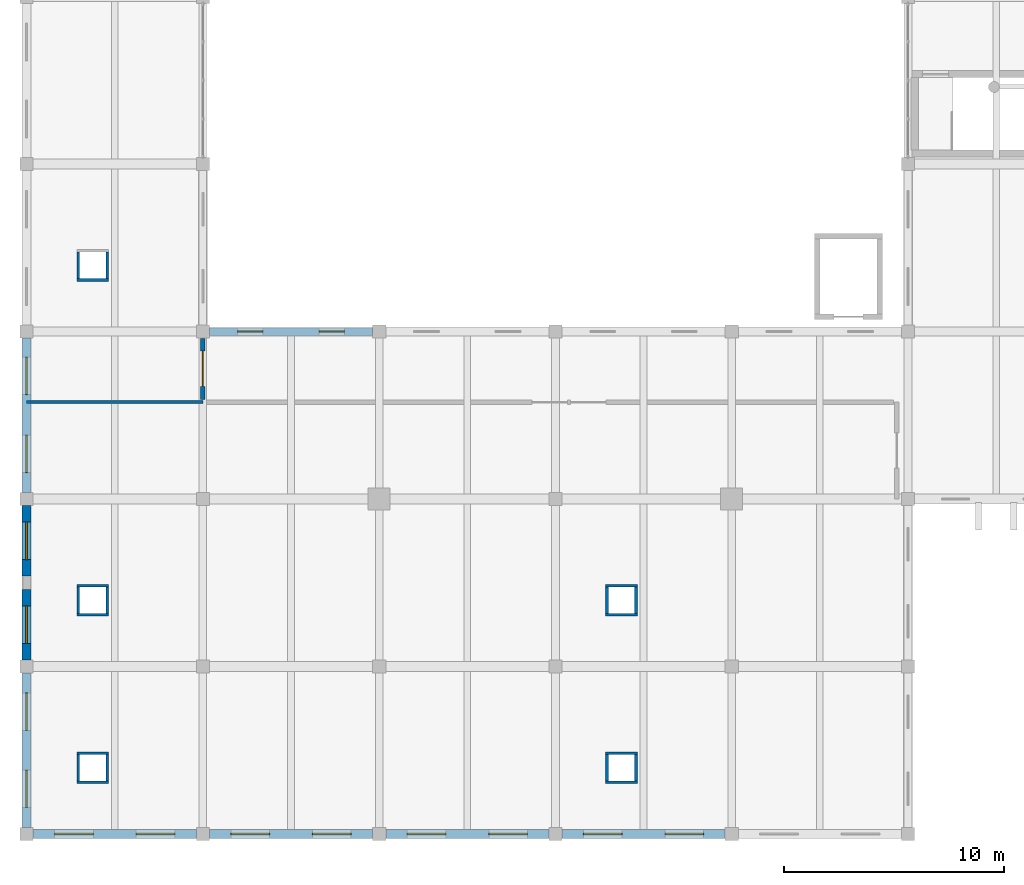
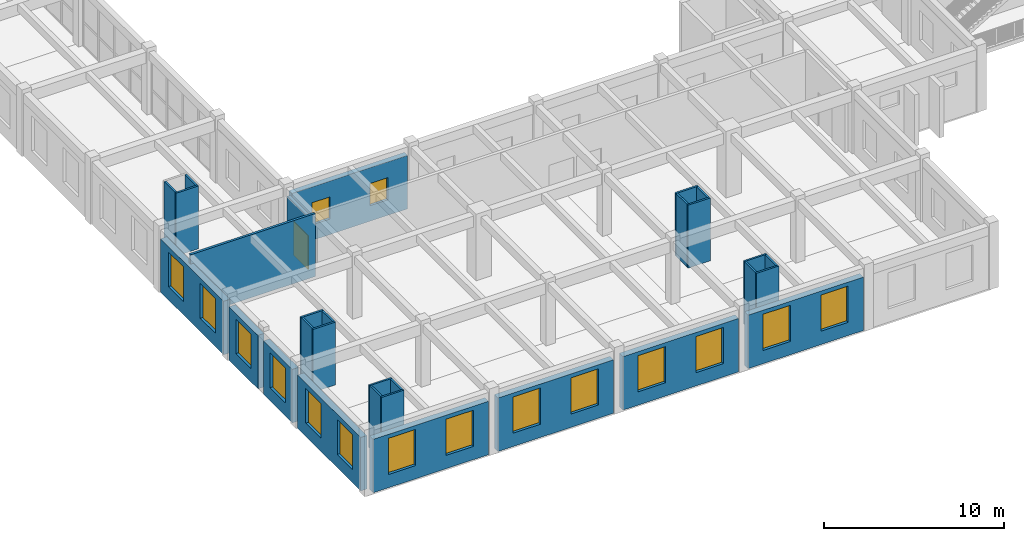
# One storey, part 51 of 79: 30 walls, 16 windows, 1 door, 17 openings.
"""IFC4 building model written with IfcOpenShell, lengths in metres."""

from ifc_helpers import new_model, si_unit, direction, frame, frame_2d, origin, place, context, subcontext, project, spatial, rectangle, extrude, material, layer, layer_set, type_object, element, fill, save


model = new_model("IFC4")

# Units and contexts
model_context = context("Model", 3, precision=1e-05, world=origin(), true_north=direction((0.0, 1.0)))
body_context = subcontext(model_context, "Body", "Model", "MODEL_VIEW")
ifc_project = project(units=[si_unit("LENGTHUNIT", "METRE"), si_unit("AREAUNIT", "SQUARE_METRE"), si_unit("VOLUMEUNIT", "CUBIC_METRE"), si_unit("PLANEANGLEUNIT", "RADIAN"), si_unit("MASSUNIT", "GRAM", prefix="KILO")], contexts=[model_context])

# Site, building, storey
site_placement = place(None, origin())
site = spatial("IfcSite", under=ifc_project, at=site_placement, CompositionType="ELEMENT")
building_placement = place(site_placement, origin())
building = spatial("IfcBuilding", under=site, at=building_placement, Name="Zantavel Square City Hall", CompositionType="ELEMENT")
storey_placement = place(building_placement, frame((0.0, 0.0, 10.199951171875)))
storey = spatial("IfcBuildingStorey", under=building, at=storey_placement, Name="L03", CompositionType="ELEMENT", Elevation=10.199951171875)

# Wall, openings, windows
ifc_material_1 = material(Name="Cantera volcanic tuff stone", Category="masonry")
ifc_layer_1 = layer(ifc_material_1, 0.39990234375, Name="Cantera volcanic tuff stone")
ifc_layer_set_1 = layer_set([ifc_layer_1], Name="Cantera volcanic tuff stone")
wall_type_1 = type_object("IfcWallType", Name="Civic Pavilion Cantera Ashlar Wall 400mm", PredefinedType="STANDARD", material=ifc_layer_set_1)
wall_1_placement = place(storey_placement, frame((39.699951171875, 7.60009765625, 0.0), z_axis=(0.0, 0.0, 1.0), x_axis=(-1.0, 0.0, 0.0)))
wall_1 = element("IfcWall", 1, at=wall_1_placement, inside=storey, type_object=wall_type_1, Name="L03 Exterior Wall EW-L03-047", PredefinedType="STANDARD", context=body_context, shape_type="SweptSolid", body=[
    extrude(rectangle(XDim=7.39990234375, YDim=0.39990234375, at=frame_2d((3.699951171875, 0.0))), origin(), (0.0, 0.0, 1.0), 3.6201171875),
])
opening_1_placement = place(wall_1_placement, frame((0.97509765625, 0.0, 0.89990234375)))
opening_1 = element("IfcOpeningElement", 2, at=opening_1_placement, cuts=wall_1, Name="Opening W-334", PredefinedType="OPENING", context=body_context, shape_type="SweptSolid", body=[
    extrude(rectangle(XDim=1.75, YDim=2.449951171875, at=frame_2d((0.875, 1.22509765625))), frame((0.0, 0.2099609375, 0.0), z_axis=(0.0, -1.0, 0.0), x_axis=(1.0, 0.0, 0.0)), (0.0, 0.0, 1.0), 0.419921875),
])
opening_2_placement = place(wall_1_placement, frame((4.675048828125, 0.0, 0.89990234375)))
opening_2 = element("IfcOpeningElement", 3, at=opening_2_placement, cuts=wall_1, Name="Opening W-335", PredefinedType="OPENING", context=body_context, shape_type="SweptSolid", body=[
    extrude(rectangle(XDim=1.75, YDim=2.449951171875, at=frame_2d((0.875, 1.22509765625))), frame((0.0, 0.2099609375, 0.0), z_axis=(0.0, -1.0, 0.0), x_axis=(1.0, 0.0, 0.0)), (0.0, 0.0, 1.0), 0.419921875),
])
ifc_material_2 = material(Name="Tempered safety glass low-E double glazing", Category="glass")
window_type_1 = type_object("IfcWindowType", Name="Window Piano Nobile Pediment 1750x2450", PartitioningType="DOUBLE_PANEL_VERTICAL", PredefinedType="WINDOW", material=ifc_material_2)
window_1_placement = place(opening_1_placement, origin())
window_1 = element("IfcWindow", 4, at=window_1_placement, inside=storey, type_object=window_type_1, Name="L03 Window W-334", OverallHeight=2.449951171875, OverallWidth=1.75, PartitioningType="DOUBLE_PANEL_VERTICAL", PredefinedType="WINDOW", context=body_context, shape_type="SweptSolid", body=[
    extrude(rectangle(XDim=1.75, YDim=2.449951171875, at=frame_2d((0.875, 1.22509765625))), frame((0.0, 0.030029296875, 0.0), z_axis=(0.0, -1.0, 0.0), x_axis=(1.0, 0.0, 0.0)), (0.0, 0.0, 1.0), 0.06005859375),
])
fill(opening_1, window_1)
window_2_placement = place(opening_2_placement, origin())
window_2 = element("IfcWindow", 5, at=window_2_placement, inside=storey, type_object=window_type_1, Name="L03 Window W-335", OverallHeight=2.449951171875, OverallWidth=1.75, PartitioningType="DOUBLE_PANEL_VERTICAL", PredefinedType="WINDOW", context=body_context, shape_type="SweptSolid", body=[
    extrude(rectangle(XDim=1.75, YDim=2.449951171875, at=frame_2d((0.875, 1.22509765625))), frame((0.0, 0.030029296875, 0.0), z_axis=(0.0, -1.0, 0.0), x_axis=(1.0, 0.0, 0.0)), (0.0, 0.0, 1.0), 0.06005859375),
])
fill(opening_2, window_2)

wall_2_placement = place(storey_placement, frame((31.699951171875, 7.60009765625, 0.0), z_axis=(0.0, 0.0, 1.0), x_axis=(-1.0, 0.0, 0.0)))
wall_2 = element("IfcWall", 6, at=wall_2_placement, inside=storey, type_object=wall_type_1, Name="L03 Exterior Wall EW-L03-048", PredefinedType="STANDARD", context=body_context, shape_type="SweptSolid", body=[
    extrude(rectangle(XDim=7.39990234375, YDim=0.39990234375, at=frame_2d((3.699951171875, 0.0))), origin(), (0.0, 0.0, 1.0), 3.6201171875),
])
opening_3_placement = place(wall_2_placement, frame((0.97509765625, 0.0, 0.89990234375)))
opening_3 = element("IfcOpeningElement", 7, at=opening_3_placement, cuts=wall_2, Name="Opening W-336", PredefinedType="OPENING", context=body_context, shape_type="SweptSolid", body=[
    extrude(rectangle(XDim=1.75, YDim=2.449951171875, at=frame_2d((0.875, 1.22509765625))), frame((0.0, 0.2099609375, 0.0), z_axis=(0.0, -1.0, 0.0), x_axis=(1.0, 0.0, 0.0)), (0.0, 0.0, 1.0), 0.419921875),
])
opening_4_placement = place(wall_2_placement, frame((4.675048828125, 0.0, 0.89990234375)))
opening_4 = element("IfcOpeningElement", 8, at=opening_4_placement, cuts=wall_2, Name="Opening W-337", PredefinedType="OPENING", context=body_context, shape_type="SweptSolid", body=[
    extrude(rectangle(XDim=1.75, YDim=2.449951171875, at=frame_2d((0.875, 1.22509765625))), frame((0.0, 0.2099609375, 0.0), z_axis=(0.0, -1.0, 0.0), x_axis=(1.0, 0.0, 0.0)), (0.0, 0.0, 1.0), 0.419921875),
])
window_3_placement = place(opening_3_placement, origin())
window_3 = element("IfcWindow", 9, at=window_3_placement, inside=storey, type_object=window_type_1, Name="L03 Window W-336", OverallHeight=2.449951171875, OverallWidth=1.75, PartitioningType="DOUBLE_PANEL_VERTICAL", PredefinedType="WINDOW", context=body_context, shape_type="SweptSolid", body=[
    extrude(rectangle(XDim=1.75, YDim=2.449951171875, at=frame_2d((0.875, 1.22509765625))), frame((0.0, 0.030029296875, 0.0), z_axis=(0.0, -1.0, 0.0), x_axis=(1.0, 0.0, 0.0)), (0.0, 0.0, 1.0), 0.06005859375),
])
fill(opening_3, window_3)
window_4_placement = place(opening_4_placement, origin())
window_4 = element("IfcWindow", 10, at=window_4_placement, inside=storey, type_object=window_type_1, Name="L03 Window W-337", OverallHeight=2.449951171875, OverallWidth=1.75, PartitioningType="DOUBLE_PANEL_VERTICAL", PredefinedType="WINDOW", context=body_context, shape_type="SweptSolid", body=[
    extrude(rectangle(XDim=1.75, YDim=2.449951171875, at=frame_2d((0.875, 1.22509765625))), frame((0.0, 0.030029296875, 0.0), z_axis=(0.0, -1.0, 0.0), x_axis=(1.0, 0.0, 0.0)), (0.0, 0.0, 1.0), 0.06005859375),
])
fill(opening_4, window_4)

wall_3_placement = place(storey_placement, frame((23.699951171875, 7.60009765625, 0.0), z_axis=(0.0, 0.0, 1.0), x_axis=(-1.0, 0.0, 0.0)))
wall_3 = element("IfcWall", 11, at=wall_3_placement, inside=storey, type_object=wall_type_1, Name="L03 Exterior Wall EW-L03-049", PredefinedType="STANDARD", context=body_context, shape_type="SweptSolid", body=[
    extrude(rectangle(XDim=7.39990234375, YDim=0.39990234375, at=frame_2d((3.699951171875, 0.0))), origin(), (0.0, 0.0, 1.0), 3.6201171875),
])
opening_5_placement = place(wall_3_placement, frame((0.97509765625, 0.0, 0.89990234375)))
opening_5 = element("IfcOpeningElement", 12, at=opening_5_placement, cuts=wall_3, Name="Opening W-338", PredefinedType="OPENING", context=body_context, shape_type="SweptSolid", body=[
    extrude(rectangle(XDim=1.75, YDim=2.449951171875, at=frame_2d((0.875, 1.22509765625))), frame((0.0, 0.2099609375, 0.0), z_axis=(0.0, -1.0, 0.0), x_axis=(1.0, 0.0, 0.0)), (0.0, 0.0, 1.0), 0.419921875),
])
opening_6_placement = place(wall_3_placement, frame((4.675048828125, 0.0, 0.89990234375)))
opening_6 = element("IfcOpeningElement", 13, at=opening_6_placement, cuts=wall_3, Name="Opening W-339", PredefinedType="OPENING", context=body_context, shape_type="SweptSolid", body=[
    extrude(rectangle(XDim=1.75, YDim=2.449951171875, at=frame_2d((0.875, 1.22509765625))), frame((0.0, 0.2099609375, 0.0), z_axis=(0.0, -1.0, 0.0), x_axis=(1.0, 0.0, 0.0)), (0.0, 0.0, 1.0), 0.419921875),
])
window_5_placement = place(opening_5_placement, origin())
window_5 = element("IfcWindow", 14, at=window_5_placement, inside=storey, type_object=window_type_1, Name="L03 Window W-338", OverallHeight=2.449951171875, OverallWidth=1.75, PartitioningType="DOUBLE_PANEL_VERTICAL", PredefinedType="WINDOW", context=body_context, shape_type="SweptSolid", body=[
    extrude(rectangle(XDim=1.75, YDim=2.449951171875, at=frame_2d((0.875, 1.22509765625))), frame((0.0, 0.030029296875, 0.0), z_axis=(0.0, -1.0, 0.0), x_axis=(1.0, 0.0, 0.0)), (0.0, 0.0, 1.0), 0.06005859375),
])
fill(opening_5, window_5)
window_6_placement = place(opening_6_placement, origin())
window_6 = element("IfcWindow", 15, at=window_6_placement, inside=storey, type_object=window_type_1, Name="L03 Window W-339", OverallHeight=2.449951171875, OverallWidth=1.75, PartitioningType="DOUBLE_PANEL_VERTICAL", PredefinedType="WINDOW", context=body_context, shape_type="SweptSolid", body=[
    extrude(rectangle(XDim=1.75, YDim=2.449951171875, at=frame_2d((0.875, 1.22509765625))), frame((0.0, 0.030029296875, 0.0), z_axis=(0.0, -1.0, 0.0), x_axis=(1.0, 0.0, 0.0)), (0.0, 0.0, 1.0), 0.06005859375),
])
fill(opening_6, window_6)

wall_4_placement = place(storey_placement, frame((15.699951171875, 7.60009765625, 0.0), z_axis=(0.0, 0.0, 1.0), x_axis=(-1.0, 0.0, 0.0)))
wall_4 = element("IfcWall", 16, at=wall_4_placement, inside=storey, type_object=wall_type_1, Name="L03 Exterior Wall EW-L03-050", PredefinedType="STANDARD", context=body_context, shape_type="SweptSolid", body=[
    extrude(rectangle(XDim=7.39990234375, YDim=0.39990234375, at=frame_2d((3.699951171875, 0.0))), origin(), (0.0, 0.0, 1.0), 3.6201171875),
])
opening_7_placement = place(wall_4_placement, frame((0.97509765625, 0.0, 0.89990234375)))
opening_7 = element("IfcOpeningElement", 17, at=opening_7_placement, cuts=wall_4, Name="Opening W-340", PredefinedType="OPENING", context=body_context, shape_type="SweptSolid", body=[
    extrude(rectangle(XDim=1.75, YDim=2.449951171875, at=frame_2d((0.875, 1.22509765625))), frame((0.0, 0.2099609375, 0.0), z_axis=(0.0, -1.0, 0.0), x_axis=(1.0, 0.0, 0.0)), (0.0, 0.0, 1.0), 0.419921875),
])
opening_8_placement = place(wall_4_placement, frame((4.675048828125, 0.0, 0.89990234375)))
opening_8 = element("IfcOpeningElement", 18, at=opening_8_placement, cuts=wall_4, Name="Opening W-341", PredefinedType="OPENING", context=body_context, shape_type="SweptSolid", body=[
    extrude(rectangle(XDim=1.75, YDim=2.449951171875, at=frame_2d((0.875, 1.22509765625))), frame((0.0, 0.2099609375, 0.0), z_axis=(0.0, -1.0, 0.0), x_axis=(1.0, 0.0, 0.0)), (0.0, 0.0, 1.0), 0.419921875),
])
window_7_placement = place(opening_7_placement, origin())
window_7 = element("IfcWindow", 19, at=window_7_placement, inside=storey, type_object=window_type_1, Name="L03 Window W-340", OverallHeight=2.449951171875, OverallWidth=1.75, PartitioningType="DOUBLE_PANEL_VERTICAL", PredefinedType="WINDOW", context=body_context, shape_type="SweptSolid", body=[
    extrude(rectangle(XDim=1.75, YDim=2.449951171875, at=frame_2d((0.875, 1.22509765625))), frame((0.0, 0.030029296875, 0.0), z_axis=(0.0, -1.0, 0.0), x_axis=(1.0, 0.0, 0.0)), (0.0, 0.0, 1.0), 0.06005859375),
])
fill(opening_7, window_7)
window_8_placement = place(opening_8_placement, origin())
window_8 = element("IfcWindow", 20, at=window_8_placement, inside=storey, type_object=window_type_1, Name="L03 Window W-341", OverallHeight=2.449951171875, OverallWidth=1.75, PartitioningType="DOUBLE_PANEL_VERTICAL", PredefinedType="WINDOW", context=body_context, shape_type="SweptSolid", body=[
    extrude(rectangle(XDim=1.75, YDim=2.449951171875, at=frame_2d((0.875, 1.22509765625))), frame((0.0, 0.030029296875, 0.0), z_axis=(0.0, -1.0, 0.0), x_axis=(1.0, 0.0, 0.0)), (0.0, 0.0, 1.0), 0.06005859375),
])
fill(opening_8, window_8)

wall_5_placement = place(storey_placement, frame((8.0, 7.89990234375, 0.0), z_axis=(0.0, 0.0, 1.0), x_axis=(0.0, 1.0, 0.0)))
wall_5 = element("IfcWall", 21, at=wall_5_placement, inside=storey, type_object=wall_type_1, Name="L03 Exterior Wall EW-L03-051", PredefinedType="STANDARD", context=body_context, shape_type="SweptSolid", body=[
    extrude(rectangle(XDim=7.0, YDim=0.39990234375, at=frame_2d((3.5, 0.0))), origin(), (0.0, 0.0, 1.0), 3.6201171875),
])
opening_9_placement = place(wall_5_placement, frame((0.89990234375, 0.0, 0.89990234375)))
opening_9 = element("IfcOpeningElement", 22, at=opening_9_placement, cuts=wall_5, Name="Opening W-342", PredefinedType="OPENING", context=body_context, shape_type="SweptSolid", body=[
    extrude(rectangle(XDim=1.699951171875, YDim=2.35009765625, at=frame_2d((0.85009765625, 1.175048828125))), frame((0.0, 0.2099609375, 0.0), z_axis=(0.0, -1.0, 0.0), x_axis=(1.0, 0.0, 0.0)), (0.0, 0.0, 1.0), 0.419921875),
])
opening_10_placement = place(wall_5_placement, frame((4.39990234375, 0.0, 0.89990234375)))
opening_10 = element("IfcOpeningElement", 23, at=opening_10_placement, cuts=wall_5, Name="Opening W-343", PredefinedType="OPENING", context=body_context, shape_type="SweptSolid", body=[
    extrude(rectangle(XDim=1.699951171875, YDim=2.35009765625, at=frame_2d((0.85009765625, 1.175048828125))), frame((0.0, 0.2099609375, 0.0), z_axis=(0.0, -1.0, 0.0), x_axis=(1.0, 0.0, 0.0)), (0.0, 0.0, 1.0), 0.419921875),
])
window_type_2 = type_object("IfcWindowType", Name="Window Library Reading Tall 1700x2350", PartitioningType="DOUBLE_PANEL_VERTICAL", PredefinedType="WINDOW", material=ifc_material_2)
window_9_placement = place(opening_9_placement, origin())
window_9 = element("IfcWindow", 24, at=window_9_placement, inside=storey, type_object=window_type_2, Name="L03 Window W-342", OverallHeight=2.35009765625, OverallWidth=1.699951171875, PartitioningType="DOUBLE_PANEL_VERTICAL", PredefinedType="WINDOW", context=body_context, shape_type="SweptSolid", body=[
    extrude(rectangle(XDim=1.699951171875, YDim=2.35009765625, at=frame_2d((0.85009765625, 1.175048828125))), frame((0.0, 0.030029296875, 0.0), z_axis=(0.0, -1.0, 0.0), x_axis=(1.0, 0.0, 0.0)), (0.0, 0.0, 1.0), 0.06005859375),
])
fill(opening_9, window_9)
window_10_placement = place(opening_10_placement, origin())
window_10 = element("IfcWindow", 25, at=window_10_placement, inside=storey, type_object=window_type_2, Name="L03 Window W-343", OverallHeight=2.35009765625, OverallWidth=1.699951171875, PartitioningType="DOUBLE_PANEL_VERTICAL", PredefinedType="WINDOW", context=body_context, shape_type="SweptSolid", body=[
    extrude(rectangle(XDim=1.699951171875, YDim=2.35009765625, at=frame_2d((0.85009765625, 1.175048828125))), frame((0.0, 0.030029296875, 0.0), z_axis=(0.0, -1.0, 0.0), x_axis=(1.0, 0.0, 0.0)), (0.0, 0.0, 1.0), 0.06005859375),
])
fill(opening_10, window_10)

# Wall, opening, window
wall_6_placement = place(storey_placement, frame((8.0, 15.5, 0.0), z_axis=(0.0, 0.0, 1.0), x_axis=(0.0, 1.0, 0.0)))
wall_6 = element("IfcWall", 26, at=wall_6_placement, inside=storey, type_object=wall_type_1, Name="L03 Exterior Wall EW-L03-052", PredefinedType="STANDARD", context=body_context, shape_type="SweptSolid", body=[
    extrude(rectangle(XDim=3.199951171875, YDim=0.39990234375, at=frame_2d((1.60009765625, 0.0))), origin(), (0.0, 0.0, 1.0), 3.6201171875),
])
opening_11_placement = place(wall_6_placement, frame((0.75, 0.0, 0.89990234375)))
opening_11 = element("IfcOpeningElement", 27, at=opening_11_placement, cuts=wall_6, Name="Opening W-344", PredefinedType="OPENING", context=body_context, shape_type="SweptSolid", body=[
    extrude(rectangle(XDim=1.699951171875, YDim=2.35009765625, at=frame_2d((0.85009765625, 1.175048828125))), frame((0.0, 0.2099609375, 0.0), z_axis=(0.0, -1.0, 0.0), x_axis=(1.0, 0.0, 0.0)), (0.0, 0.0, 1.0), 0.419921875),
])
window_11_placement = place(opening_11_placement, origin())
window_11 = element("IfcWindow", 28, at=window_11_placement, inside=storey, type_object=window_type_2, Name="L03 Window W-344", OverallHeight=2.35009765625, OverallWidth=1.699951171875, PartitioningType="DOUBLE_PANEL_VERTICAL", PredefinedType="WINDOW", context=body_context, shape_type="SweptSolid", body=[
    extrude(rectangle(XDim=1.699951171875, YDim=2.35009765625, at=frame_2d((0.85009765625, 1.175048828125))), frame((0.0, 0.030029296875, 0.0), z_axis=(0.0, -1.0, 0.0), x_axis=(1.0, 0.0, 0.0)), (0.0, 0.0, 1.0), 0.06005859375),
])
fill(opening_11, window_11)

wall_7_placement = place(storey_placement, frame((8.0, 19.300048828125, 0.0), z_axis=(0.0, 0.0, 1.0), x_axis=(0.0, 1.0, 0.0)))
wall_7 = element("IfcWall", 29, at=wall_7_placement, inside=storey, type_object=wall_type_1, Name="L03 Exterior Wall EW-L03-053", PredefinedType="STANDARD", context=body_context, shape_type="SweptSolid", body=[
    extrude(rectangle(XDim=3.199951171875, YDim=0.39990234375, at=frame_2d((1.60009765625, 0.0))), origin(), (0.0, 0.0, 1.0), 3.6201171875),
])
opening_12_placement = place(wall_7_placement, frame((0.75, 0.0, 0.89990234375)))
opening_12 = element("IfcOpeningElement", 30, at=opening_12_placement, cuts=wall_7, Name="Opening W-345", PredefinedType="OPENING", context=body_context, shape_type="SweptSolid", body=[
    extrude(rectangle(XDim=1.699951171875, YDim=2.35009765625, at=frame_2d((0.85009765625, 1.175048828125))), frame((0.0, 0.2099609375, 0.0), z_axis=(0.0, -1.0, 0.0), x_axis=(1.0, 0.0, 0.0)), (0.0, 0.0, 1.0), 0.419921875),
])
window_12_placement = place(opening_12_placement, origin())
window_12 = element("IfcWindow", 31, at=window_12_placement, inside=storey, type_object=window_type_2, Name="L03 Window W-345", OverallHeight=2.35009765625, OverallWidth=1.699951171875, PartitioningType="DOUBLE_PANEL_VERTICAL", PredefinedType="WINDOW", context=body_context, shape_type="SweptSolid", body=[
    extrude(rectangle(XDim=1.699951171875, YDim=2.35009765625, at=frame_2d((0.85009765625, 1.175048828125))), frame((0.0, 0.030029296875, 0.0), z_axis=(0.0, -1.0, 0.0), x_axis=(1.0, 0.0, 0.0)), (0.0, 0.0, 1.0), 0.06005859375),
])
fill(opening_12, window_12)

# Wall, openings, windows
wall_8_placement = place(storey_placement, frame((8.0, 23.10009765625, 0.0), z_axis=(0.0, 0.0, 1.0), x_axis=(0.0, 1.0, 0.0)))
wall_8 = element("IfcWall", 32, at=wall_8_placement, inside=storey, type_object=wall_type_1, Name="L03 Exterior Wall EW-L03-054", PredefinedType="STANDARD", context=body_context, shape_type="SweptSolid", body=[
    extrude(rectangle(XDim=7.0, YDim=0.39990234375, at=frame_2d((3.5, 0.0))), origin(), (0.0, 0.0, 1.0), 3.6201171875),
])
opening_13_placement = place(wall_8_placement, frame((0.89990234375, 0.0, 0.89990234375)))
opening_13 = element("IfcOpeningElement", 33, at=opening_13_placement, cuts=wall_8, Name="Opening W-346", PredefinedType="OPENING", context=body_context, shape_type="SweptSolid", body=[
    extrude(rectangle(XDim=1.699951171875, YDim=2.35009765625, at=frame_2d((0.85009765625, 1.175048828125))), frame((0.0, 0.2099609375, 0.0), z_axis=(0.0, -1.0, 0.0), x_axis=(1.0, 0.0, 0.0)), (0.0, 0.0, 1.0), 0.419921875),
])
opening_14_placement = place(wall_8_placement, frame((4.43994140625, 0.0, 0.89990234375)))
opening_14 = element("IfcOpeningElement", 34, at=opening_14_placement, cuts=wall_8, Name="Opening W-347", PredefinedType="OPENING", context=body_context, shape_type="SweptSolid", body=[
    extrude(rectangle(XDim=1.699951171875, YDim=2.35009765625, at=frame_2d((0.85009765625, 1.175048828125))), frame((0.0, 0.2099609375, 0.0), z_axis=(0.0, -1.0, 0.0), x_axis=(1.0, 0.0, 0.0)), (0.0, 0.0, 1.0), 0.419921875),
])
window_13_placement = place(opening_13_placement, origin())
window_13 = element("IfcWindow", 35, at=window_13_placement, inside=storey, type_object=window_type_2, Name="L03 Window W-346", OverallHeight=2.35009765625, OverallWidth=1.699951171875, PartitioningType="DOUBLE_PANEL_VERTICAL", PredefinedType="WINDOW", context=body_context, shape_type="SweptSolid", body=[
    extrude(rectangle(XDim=1.699951171875, YDim=2.35009765625, at=frame_2d((0.85009765625, 1.175048828125))), frame((0.0, 0.030029296875, 0.0), z_axis=(0.0, -1.0, 0.0), x_axis=(1.0, 0.0, 0.0)), (0.0, 0.0, 1.0), 0.06005859375),
])
fill(opening_13, window_13)
window_14_placement = place(opening_14_placement, origin())
window_14 = element("IfcWindow", 36, at=window_14_placement, inside=storey, type_object=window_type_2, Name="L03 Window W-347", OverallHeight=2.35009765625, OverallWidth=1.699951171875, PartitioningType="DOUBLE_PANEL_VERTICAL", PredefinedType="WINDOW", context=body_context, shape_type="SweptSolid", body=[
    extrude(rectangle(XDim=1.699951171875, YDim=2.35009765625, at=frame_2d((0.85009765625, 1.175048828125))), frame((0.0, 0.030029296875, 0.0), z_axis=(0.0, -1.0, 0.0), x_axis=(1.0, 0.0, 0.0)), (0.0, 0.0, 1.0), 0.06005859375),
])
fill(opening_14, window_14)

# Wall
ifc_material_3 = material(Name="Gypsum acoustic stud assembly", Category="masonry")
ifc_layer_2 = layer(ifc_material_3, 0.14990234375, Name="Gypsum acoustic stud assembly")
ifc_layer_set_2 = layer_set([ifc_layer_2], Name="Gypsum acoustic stud assembly")
wall_type_2 = type_object("IfcWallType", Name="Department Office Partition 150mm", PredefinedType="PARTITIONING", material=ifc_layer_set_2)
wall_9_placement = place(storey_placement, frame((8.0, 27.199951171875, 0.0), z_axis=(0.0, 0.0, 1.0), x_axis=(1.0, 0.0, 0.0)))
element("IfcWall", 37, at=wall_9_placement, inside=storey, type_object=wall_type_2, Name="L03 Interior Wall IW-L03-0265", PredefinedType="PARTITIONING", context=body_context, shape_type="SweptSolid", body=[
    extrude(rectangle(XDim=8.0, YDim=0.14990234375, at=frame_2d((4.0, 0.0))), origin(), (0.0, 0.0, 1.0), 4.260009765625),
])

# Wall, opening, door
ifc_layer_3 = layer(ifc_material_1, 0.199951171875, Name="Cantera volcanic tuff stone")
ifc_layer_set_3 = layer_set([ifc_layer_3], Name="Cantera volcanic tuff stone")
wall_type_3 = type_object("IfcWallType", Name="Exit Corridor Rated Wall 200mm", PredefinedType="STANDARD", material=ifc_layer_set_3)
wall_10_placement = place(storey_placement, frame((16.0, 30.090087890625, 0.0), z_axis=(0.0, 0.0, 1.0), x_axis=(0.0, -1.0, 0.0)))
wall_10 = element("IfcWall", 38, at=wall_10_placement, inside=storey, type_object=wall_type_3, Name="L03 Interior Wall IW-L03-0268", PredefinedType="STANDARD", context=body_context, shape_type="SweptSolid", body=[
    extrude(rectangle(XDim=2.76513671875, YDim=0.199951171875, at=frame_2d((1.382568359375, 0.0))), origin(), (0.0, 0.0, 1.0), 3.670166015625),
])
opening_15_placement = place(wall_10_placement, frame((0.58251953125, 0.0, 0.0)))
opening_15 = element("IfcOpeningElement", 39, at=opening_15_placement, cuts=wall_10, Name="Opening D-0123", PredefinedType="OPENING", context=body_context, shape_type="SweptSolid", body=[
    extrude(rectangle(XDim=1.60009765625, YDim=2.300048828125, at=frame_2d((0.800048828125, 1.14990234375))), frame((0.0, 0.10986328125, 0.0), z_axis=(0.0, -1.0, 0.0), x_axis=(1.0, 0.0, 0.0)), (0.0, 0.0, 1.0), 0.219970703125),
])
ifc_material_4 = material(Name="Solid oak hardwood", Category="wood")
door_type = type_object("IfcDoorType", Name="Committee Suite Fire Double Door 1600x2300 FD60S", OperationType="NOTDEFINED", PredefinedType="DOOR", material=ifc_material_4)
door_placement = place(opening_15_placement, origin())
door = element("IfcDoor", 40, at=door_placement, inside=storey, type_object=door_type, Name="L03 Legislative Research Carrels Door", OperationType="DOUBLE_DOOR_SINGLE_SWING", OverallHeight=2.300048828125, OverallWidth=1.60009765625, PredefinedType="DOOR", context=body_context, shape_type="SweptSolid", body=[
    extrude(rectangle(XDim=1.60009765625, YDim=2.300048828125, at=frame_2d((0.800048828125, 1.14990234375))), frame((0.0, 0.02490234375, 0.0), z_axis=(0.0, -1.0, 0.0), x_axis=(1.0, 0.0, 0.0)), (0.0, 0.0, 1.0), 0.050048828125),
])
fill(opening_15, door)

# Wall, openings, windows
ifc_layer_4 = layer(ifc_material_1, 0.340087890625, Name="Cantera volcanic tuff stone")
ifc_layer_set_4 = layer_set([ifc_layer_4], Name="Cantera volcanic tuff stone")
wall_type_4 = type_object("IfcWallType", Name="North Insulated Cantera Wall 340mm", PredefinedType="STANDARD", material=ifc_layer_set_4)
wall_11_placement = place(storey_placement, frame((16.300048828125, 30.39990234375, 0.0), z_axis=(0.0, 0.0, 1.0), x_axis=(1.0, 0.0, 0.0)))
wall_11 = element("IfcWall", 41, at=wall_11_placement, inside=storey, type_object=wall_type_4, Name="L03 Exterior Wall EW-L03-065", PredefinedType="STANDARD", context=body_context, shape_type="SweptSolid", body=[
    extrude(rectangle(XDim=7.39990234375, YDim=0.340087890625, at=frame_2d((3.699951171875, 0.0))), origin(), (0.0, 0.0, 1.0), 3.6201171875),
])
opening_16_placement = place(wall_11_placement, frame((1.27490234375, 0.0, 1.050048828125)))
opening_16 = element("IfcOpeningElement", 42, at=opening_16_placement, cuts=wall_11, Name="Opening W-362", PredefinedType="OPENING", context=body_context, shape_type="SweptSolid", body=[
    extrude(rectangle(XDim=1.14990234375, YDim=1.5, at=frame_2d((0.574951171875, 0.75))), frame((0.0, 0.179931640625, 0.0), z_axis=(0.0, -1.0, 0.0), x_axis=(1.0, 0.0, 0.0)), (0.0, 0.0, 1.0), 0.360107421875),
])
opening_17_placement = place(wall_11_placement, frame((4.97509765625, 0.0, 1.050048828125)))
opening_17 = element("IfcOpeningElement", 43, at=opening_17_placement, cuts=wall_11, Name="Opening W-363", PredefinedType="OPENING", context=body_context, shape_type="SweptSolid", body=[
    extrude(rectangle(XDim=1.14990234375, YDim=1.5, at=frame_2d((0.574951171875, 0.75))), frame((0.0, 0.179931640625, 0.0), z_axis=(0.0, -1.0, 0.0), x_axis=(1.0, 0.0, 0.0)), (0.0, 0.0, 1.0), 0.360107421875),
])
window_type_3 = type_object("IfcWindowType", Name="Window Piano Nobile North 1150x1500", PartitioningType="SINGLE_PANEL", PredefinedType="WINDOW", material=ifc_material_2)
window_15_placement = place(opening_16_placement, origin())
window_15 = element("IfcWindow", 44, at=window_15_placement, inside=storey, type_object=window_type_3, Name="L03 Window W-362", OverallHeight=1.5, OverallWidth=1.14990234375, PartitioningType="SINGLE_PANEL", PredefinedType="WINDOW", context=body_context, shape_type="SweptSolid", body=[
    extrude(rectangle(XDim=1.14990234375, YDim=1.5, at=frame_2d((0.574951171875, 0.75))), frame((0.0, 0.030029296875, 0.0), z_axis=(0.0, -1.0, 0.0), x_axis=(1.0, 0.0, 0.0)), (0.0, 0.0, 1.0), 0.06005859375),
])
fill(opening_16, window_15)
window_16_placement = place(opening_17_placement, origin())
window_16 = element("IfcWindow", 45, at=window_16_placement, inside=storey, type_object=window_type_3, Name="L03 Window W-363", OverallHeight=1.5, OverallWidth=1.14990234375, PartitioningType="SINGLE_PANEL", PredefinedType="WINDOW", context=body_context, shape_type="SweptSolid", body=[
    extrude(rectangle(XDim=1.14990234375, YDim=1.5, at=frame_2d((0.574951171875, 0.75))), frame((0.0, 0.030029296875, 0.0), z_axis=(0.0, -1.0, 0.0), x_axis=(1.0, 0.0, 0.0)), (0.0, 0.0, 1.0), 0.06005859375),
])
fill(opening_17, window_16)

# Walls
ifc_material_5 = material(Name="Concrete C35/45", Category="concrete")
ifc_layer_5 = layer(ifc_material_5, 0.1201171875, Name="Concrete C35/45")
ifc_layer_set_5 = layer_set([ifc_layer_5], Name="Concrete C35/45")
wall_type_5 = type_object("IfcWallType", Name="Riser Chase Wall RC 120mm C35/45", PredefinedType="PARTITIONING", material=ifc_layer_set_5)
wall_12_placement = place(storey_placement, frame((11.719970703125, 9.93994140625, 0.0), z_axis=(0.0, 0.0, 1.0), x_axis=(-1.0, 0.0, 0.0)))
element("IfcWall", 46, at=wall_12_placement, inside=storey, type_object=wall_type_5, Name="L03 MEP Riser 06 Wall S", PredefinedType="PARTITIONING", context=body_context, shape_type="SweptSolid", body=[
    extrude(rectangle(XDim=1.43994140625, YDim=0.1201171875, at=frame_2d((0.719970703125, 0.0))), origin(), (0.0, 0.0, 1.0), 4.260009765625),
])
wall_13_placement = place(storey_placement, frame((10.340087890625, 10.0, 0.0), z_axis=(0.0, 0.0, 1.0), x_axis=(0.0, 1.0, 0.0)))
element("IfcWall", 47, at=wall_13_placement, inside=storey, type_object=wall_type_5, Name="L03 MEP Riser 06 Wall W", PredefinedType="PARTITIONING", context=body_context, shape_type="SweptSolid", body=[
    extrude(rectangle(XDim=1.199951171875, YDim=0.1201171875, at=frame_2d((0.60009765625, 0.0))), origin(), (0.0, 0.0, 1.0), 4.260009765625),
])
wall_14_placement = place(storey_placement, frame((10.280029296875, 11.260009765625, 0.0), z_axis=(0.0, 0.0, 1.0), x_axis=(1.0, 0.0, 0.0)))
element("IfcWall", 48, at=wall_14_placement, inside=storey, type_object=wall_type_5, Name="L03 MEP Riser 06 Wall N", PredefinedType="PARTITIONING", context=body_context, shape_type="SweptSolid", body=[
    extrude(rectangle(XDim=1.43994140625, YDim=0.1201171875, at=frame_2d((0.719970703125, 0.0))), origin(), (0.0, 0.0, 1.0), 4.260009765625),
])
wall_15_placement = place(storey_placement, frame((11.659912109375, 11.199951171875, 0.0), z_axis=(0.0, 0.0, 1.0), x_axis=(0.0, -1.0, 0.0)))
element("IfcWall", 49, at=wall_15_placement, inside=storey, type_object=wall_type_5, Name="L03 MEP Riser 06 Wall E", PredefinedType="PARTITIONING", context=body_context, shape_type="SweptSolid", body=[
    extrude(rectangle(XDim=1.199951171875, YDim=0.1201171875, at=frame_2d((0.60009765625, 0.0))), origin(), (0.0, 0.0, 1.0), 4.260009765625),
])
wall_16_placement = place(storey_placement, frame((35.719970703125, 9.93994140625, 0.0), z_axis=(0.0, 0.0, 1.0), x_axis=(-1.0, 0.0, 0.0)))
element("IfcWall", 50, at=wall_16_placement, inside=storey, type_object=wall_type_5, Name="L03 MEP Riser 07 Wall S", PredefinedType="PARTITIONING", context=body_context, shape_type="SweptSolid", body=[
    extrude(rectangle(XDim=1.43994140625, YDim=0.1201171875, at=frame_2d((0.719970703125, 0.0))), origin(), (0.0, 0.0, 1.0), 4.260009765625),
])
wall_17_placement = place(storey_placement, frame((34.340087890625, 10.0, 0.0), z_axis=(0.0, 0.0, 1.0), x_axis=(0.0, 1.0, 0.0)))
element("IfcWall", 51, at=wall_17_placement, inside=storey, type_object=wall_type_5, Name="L03 MEP Riser 07 Wall W", PredefinedType="PARTITIONING", context=body_context, shape_type="SweptSolid", body=[
    extrude(rectangle(XDim=1.199951171875, YDim=0.1201171875, at=frame_2d((0.60009765625, 0.0))), origin(), (0.0, 0.0, 1.0), 4.260009765625),
])
wall_18_placement = place(storey_placement, frame((34.280029296875, 11.260009765625, 0.0), z_axis=(0.0, 0.0, 1.0), x_axis=(1.0, 0.0, 0.0)))
element("IfcWall", 52, at=wall_18_placement, inside=storey, type_object=wall_type_5, Name="L03 MEP Riser 07 Wall N", PredefinedType="PARTITIONING", context=body_context, shape_type="SweptSolid", body=[
    extrude(rectangle(XDim=1.43994140625, YDim=0.1201171875, at=frame_2d((0.719970703125, 0.0))), origin(), (0.0, 0.0, 1.0), 4.260009765625),
])
wall_19_placement = place(storey_placement, frame((35.659912109375, 11.199951171875, 0.0), z_axis=(0.0, 0.0, 1.0), x_axis=(0.0, -1.0, 0.0)))
element("IfcWall", 53, at=wall_19_placement, inside=storey, type_object=wall_type_5, Name="L03 MEP Riser 07 Wall E", PredefinedType="PARTITIONING", context=body_context, shape_type="SweptSolid", body=[
    extrude(rectangle(XDim=1.199951171875, YDim=0.1201171875, at=frame_2d((0.60009765625, 0.0))), origin(), (0.0, 0.0, 1.0), 4.260009765625),
])
wall_20_placement = place(storey_placement, frame((11.719970703125, 17.5400390625, 0.0), z_axis=(0.0, 0.0, 1.0), x_axis=(-1.0, 0.0, 0.0)))
element("IfcWall", 54, at=wall_20_placement, inside=storey, type_object=wall_type_5, Name="L03 MEP Riser 08 Wall S", PredefinedType="PARTITIONING", context=body_context, shape_type="SweptSolid", body=[
    extrude(rectangle(XDim=1.43994140625, YDim=0.1201171875, at=frame_2d((0.719970703125, 0.0))), origin(), (0.0, 0.0, 1.0), 4.260009765625),
])
wall_21_placement = place(storey_placement, frame((10.340087890625, 17.60009765625, 0.0), z_axis=(0.0, 0.0, 1.0), x_axis=(0.0, 1.0, 0.0)))
element("IfcWall", 55, at=wall_21_placement, inside=storey, type_object=wall_type_5, Name="L03 MEP Riser 08 Wall W", PredefinedType="PARTITIONING", context=body_context, shape_type="SweptSolid", body=[
    extrude(rectangle(XDim=1.199951171875, YDim=0.1201171875, at=frame_2d((0.60009765625, 0.0))), origin(), (0.0, 0.0, 1.0), 4.260009765625),
])
wall_22_placement = place(storey_placement, frame((10.280029296875, 18.860107421875, 0.0), z_axis=(0.0, 0.0, 1.0), x_axis=(1.0, 0.0, 0.0)))
element("IfcWall", 56, at=wall_22_placement, inside=storey, type_object=wall_type_5, Name="L03 MEP Riser 08 Wall N", PredefinedType="PARTITIONING", context=body_context, shape_type="SweptSolid", body=[
    extrude(rectangle(XDim=1.43994140625, YDim=0.1201171875, at=frame_2d((0.719970703125, 0.0))), origin(), (0.0, 0.0, 1.0), 4.260009765625),
])
wall_23_placement = place(storey_placement, frame((11.659912109375, 18.800048828125, 0.0), z_axis=(0.0, 0.0, 1.0), x_axis=(0.0, -1.0, 0.0)))
element("IfcWall", 57, at=wall_23_placement, inside=storey, type_object=wall_type_5, Name="L03 MEP Riser 08 Wall E", PredefinedType="PARTITIONING", context=body_context, shape_type="SweptSolid", body=[
    extrude(rectangle(XDim=1.199951171875, YDim=0.1201171875, at=frame_2d((0.60009765625, 0.0))), origin(), (0.0, 0.0, 1.0), 4.260009765625),
])
wall_24_placement = place(storey_placement, frame((35.719970703125, 17.5400390625, 0.0), z_axis=(0.0, 0.0, 1.0), x_axis=(-1.0, 0.0, 0.0)))
element("IfcWall", 58, at=wall_24_placement, inside=storey, type_object=wall_type_5, Name="L03 MEP Riser 09 Wall S", PredefinedType="PARTITIONING", context=body_context, shape_type="SweptSolid", body=[
    extrude(rectangle(XDim=1.43994140625, YDim=0.1201171875, at=frame_2d((0.719970703125, 0.0))), origin(), (0.0, 0.0, 1.0), 4.260009765625),
])
wall_25_placement = place(storey_placement, frame((34.340087890625, 17.60009765625, 0.0), z_axis=(0.0, 0.0, 1.0), x_axis=(0.0, 1.0, 0.0)))
element("IfcWall", 59, at=wall_25_placement, inside=storey, type_object=wall_type_5, Name="L03 MEP Riser 09 Wall W", PredefinedType="PARTITIONING", context=body_context, shape_type="SweptSolid", body=[
    extrude(rectangle(XDim=1.199951171875, YDim=0.1201171875, at=frame_2d((0.60009765625, 0.0))), origin(), (0.0, 0.0, 1.0), 4.260009765625),
])
wall_26_placement = place(storey_placement, frame((34.280029296875, 18.860107421875, 0.0), z_axis=(0.0, 0.0, 1.0), x_axis=(1.0, 0.0, 0.0)))
element("IfcWall", 60, at=wall_26_placement, inside=storey, type_object=wall_type_5, Name="L03 MEP Riser 09 Wall N", PredefinedType="PARTITIONING", context=body_context, shape_type="SweptSolid", body=[
    extrude(rectangle(XDim=1.43994140625, YDim=0.1201171875, at=frame_2d((0.719970703125, 0.0))), origin(), (0.0, 0.0, 1.0), 4.260009765625),
])
wall_27_placement = place(storey_placement, frame((35.659912109375, 18.800048828125, 0.0), z_axis=(0.0, 0.0, 1.0), x_axis=(0.0, -1.0, 0.0)))
element("IfcWall", 61, at=wall_27_placement, inside=storey, type_object=wall_type_5, Name="L03 MEP Riser 09 Wall E", PredefinedType="PARTITIONING", context=body_context, shape_type="SweptSolid", body=[
    extrude(rectangle(XDim=1.199951171875, YDim=0.1201171875, at=frame_2d((0.60009765625, 0.0))), origin(), (0.0, 0.0, 1.0), 4.260009765625),
])
wall_28_placement = place(storey_placement, frame((11.719970703125, 32.739990234375, 0.0), z_axis=(0.0, 0.0, 1.0), x_axis=(-1.0, 0.0, 0.0)))
element("IfcWall", 62, at=wall_28_placement, inside=storey, type_object=wall_type_5, Name="L03 MEP Riser 10 Wall S", PredefinedType="PARTITIONING", context=body_context, shape_type="SweptSolid", body=[
    extrude(rectangle(XDim=1.43994140625, YDim=0.1201171875, at=frame_2d((0.719970703125, 0.0))), origin(), (0.0, 0.0, 1.0), 4.260009765625),
])
for number, where, z_axis, x_axis, name in (
    (63, (10.340087890625, 32.800048828125, 0.0), (0.0, 0.0, 1.0), (0.0, 1.0, 0.0), "L03 MEP Riser 10 Wall W"),
    (64, (11.659912109375, 34.0, 0.0), (0.0, 0.0, 1.0), (0.0, -1.0, 0.0), "L03 MEP Riser 10 Wall E"),
):
    element("IfcWall", number, at=place(storey_placement, frame(where, z_axis=z_axis, x_axis=x_axis)), inside=storey, type_object=wall_type_5, Name=name, PredefinedType="PARTITIONING", context=body_context, shape_type="SweptSolid", body=[
        extrude(rectangle(XDim=1.199951171875, YDim=0.1201171875, at=frame_2d((0.60009765625, 0.0))), origin(), (0.0, 0.0, 1.0), 4.260009765625),
    ])

save(model, "model.ifc")
